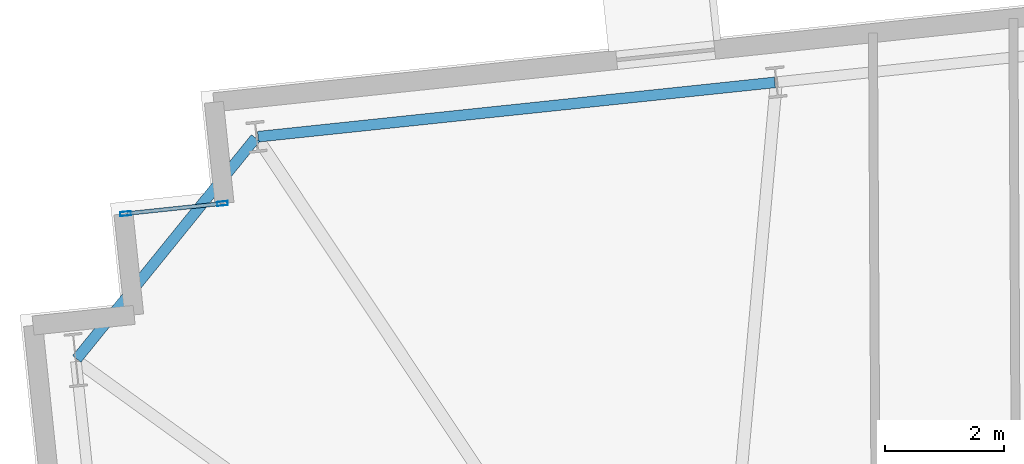
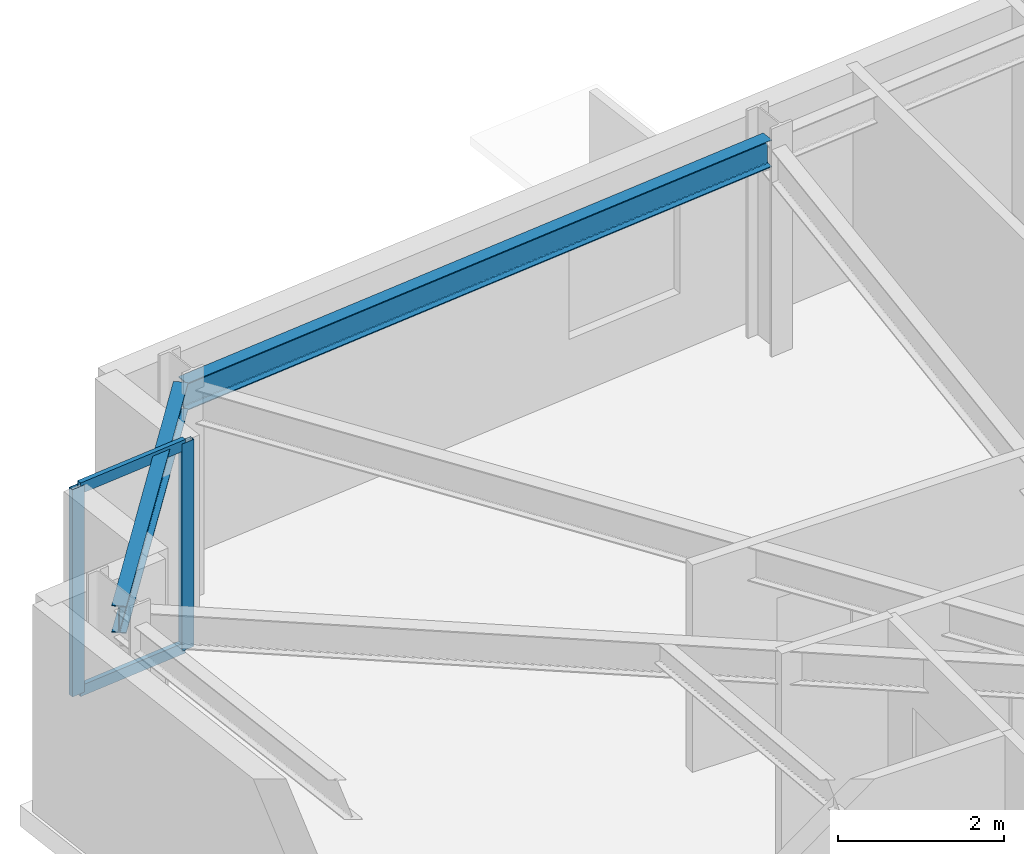
# One storey, part 8 of 19: 4 members, 2 beams, 1 element without a shape of its own.
"""IFC4 building model written with IfcOpenShell, lengths in metres."""

import ifcopenshell
import ifcopenshell.guid

model = None  # the IFC model being written
_history = None  # IfcOwnerHistory: only IFC2X3 demands one
_inside = {}  # id of a spatial element -> (the spatial element, [elements in it])
_under = {}  # id of a project, library or spatial element -> (it, [spatial elements below it])
_declared = {}  # id of a project -> (the project, [libraries it declares])
_typed = {}  # id of a type object -> (the type object, [elements of that type])
_made_of = {}  # id of a material, layer set ... -> (it, [elements and type objects made of it])


def new_model(schema):
    """Start an empty IFC model of exactly this schema.

    Asked for "IFC4X3", IfcOpenShell would pick the latest addendum, in which some entities
    have other attributes; the version numbers below select the first issue.
    IFC2X3 requires an IfcOwnerHistory on every rooted entity: one is made here for all.
    """
    global model, _history
    if schema == "IFC4X3":
        model = ifcopenshell.file(schema_version=(4, 3, 0, 0))
    else:
        model = ifcopenshell.file(schema=schema)
    _inside.clear()
    _under.clear()
    _declared.clear()
    _typed.clear()
    _made_of.clear()
    _history = None
    if model.schema == "IFC2X3":
        org = make("IfcOrganization", Name="unknown")
        user = make(
            "IfcPersonAndOrganization",
            ThePerson=make("IfcPerson", FamilyName="unknown"),
            TheOrganization=org,
        )
        app = make(
            "IfcApplication",
            ApplicationDeveloper=org,
            Version="unknown",
            ApplicationFullName="unknown",
            ApplicationIdentifier="unknown",
        )
        _history = make(
            "IfcOwnerHistory",
            OwningUser=user,
            OwningApplication=app,
            ChangeAction="ADDED",
            CreationDate=0,
        )
    return model


def make(cls, **values):
    """One entity of the class cls with the attributes given. An attribute that is None is left unset."""
    return model.create_entity(
        cls, **{name: value for name, value in values.items() if value is not None}
    )


def rooted(cls, **values):
    """An entity with a GlobalId (a new one), such as an element, a storey or a relation."""
    return make(cls, GlobalId=ifcopenshell.guid.new(), OwnerHistory=_history, **values)


def si_unit(unit_type, name, prefix=None):
    """IfcSIUnit, for example si_unit("LENGTHUNIT", "METRE", prefix="MILLI")."""
    return make("IfcSIUnit", UnitType=unit_type, Prefix=prefix, Name=name)


def assignment(units):
    """IfcUnitAssignment: the units of a project."""
    return None if units is None else make("IfcUnitAssignment", Units=units)


def point(xyz):
    """IfcCartesianPoint."""
    return None if xyz is None else make("IfcCartesianPoint", Coordinates=xyz)


def direction(xyz):
    """IfcDirection."""
    return None if xyz is None else make("IfcDirection", DirectionRatios=xyz)


def frame(location, z_axis=None, x_axis=None):
    """IfcAxis2Placement3D, a coordinate frame: its origin and axes. An axis left out is left unset."""
    return make(
        "IfcAxis2Placement3D",
        Location=point(location),
        Axis=direction(z_axis),
        RefDirection=direction(x_axis),
    )


def frame_2d(location, x_axis=None):
    """IfcAxis2Placement2D, a coordinate frame in the plane: its origin and x axis."""
    return make(
        "IfcAxis2Placement2D", Location=point(location), RefDirection=direction(x_axis)
    )


def origin():
    """The frame at (0, 0, 0) with its axes left unset."""
    return frame((0.0, 0.0, 0.0))


def origin_2d():
    """The frame at (0, 0) in the plane with its x axis left unset."""
    return frame_2d((0.0, 0.0))


def place(relative_to, where):
    """IfcLocalPlacement: puts the frame where relative to a parent placement (None: the world)."""
    return make(
        "IfcLocalPlacement", PlacementRelTo=relative_to, RelativePlacement=where
    )


def context(
    kind, dimensions, precision=None, world=None, true_north=None, identifier=None
):
    """IfcGeometricRepresentationContext, for example the 3D "Model" context."""
    return make(
        "IfcGeometricRepresentationContext",
        ContextIdentifier=identifier,
        ContextType=kind,
        CoordinateSpaceDimension=dimensions,
        Precision=precision,
        WorldCoordinateSystem=world,
        TrueNorth=true_north,
    )


def subcontext(parent, identifier, kind, view, scale=None):
    """IfcGeometricRepresentationSubContext, for example "Body" below "Model"."""
    return make(
        "IfcGeometricRepresentationSubContext",
        ContextIdentifier=identifier,
        ContextType=kind,
        ParentContext=parent,
        TargetScale=scale,
        TargetView=view,
    )


def project(units=None, contexts=None):
    """IfcProject with its units and contexts."""
    return rooted(
        "IfcProject",
        Name="project",
        RepresentationContexts=contexts,
        UnitsInContext=assignment(units),
    )


def spatial(cls, under=None, at=None, **own):
    """A site, building, storey or space (cls), placed at a placement, below another one or the project."""
    s = rooted(cls, ObjectPlacement=at, **own)
    if under is not None:
        _under.setdefault(under.id(), (under, []))[1].append(s)
    return s


def profile(cls, at=None, kind="AREA", **sizes):
    """A parametric profile (cls). Its sizes go by their IFC names, for example OverallWidth=200.0."""
    return make(cls, ProfileType=kind, Position=at, **sizes)


def hollow_rectangle(**sizes):
    """IfcRectangleHollowProfileDef."""
    return profile("IfcRectangleHollowProfileDef", **sizes)


def i_section(**sizes):
    """IfcIShapeProfileDef."""
    return profile("IfcIShapeProfileDef", **sizes)


def extrude(swept, where, along, depth):
    """IfcExtrudedAreaSolid: the profile swept, set in the frame where, extruded along a direction by depth."""
    return make(
        "IfcExtrudedAreaSolid",
        SweptArea=swept,
        Position=where,
        ExtrudedDirection=direction(along),
        Depth=depth,
    )


def shape(context_of_items, identifier, shape_type, items):
    """IfcShapeRepresentation: the items that make up one representation, for example the "Body"."""
    return make(
        "IfcShapeRepresentation",
        ContextOfItems=context_of_items,
        RepresentationIdentifier=identifier,
        RepresentationType=shape_type,
        Items=items,
    )


def material(Name=None, Category=None):
    """IfcMaterial."""
    return make("IfcMaterial", Name=Name, Category=Category)


def layer(
    of_material, thickness, ventilated=None, Name=None, Category=None, Priority=None
):
    """IfcMaterialLayer: one layer of a wall or slab, of a material (None: an air gap)."""
    return make(
        "IfcMaterialLayer",
        Material=of_material,
        LayerThickness=thickness,
        IsVentilated=ventilated,
        Name=Name,
        Category=Category,
        Priority=Priority,
    )


def layer_set(layers, Name=None):
    """IfcMaterialLayerSet."""
    return make("IfcMaterialLayerSet", MaterialLayers=layers, LayerSetName=Name)


def material_profile(
    of_material, cross_section, Name=None, Category=None, Priority=None
):
    """IfcMaterialProfile: a cross section and its material."""
    return make(
        "IfcMaterialProfile",
        Name=Name,
        Material=of_material,
        Profile=cross_section,
        Priority=Priority,
        Category=Category,
    )


def profile_set(profiles, Name=None, composite=None):
    """IfcMaterialProfileSet."""
    return make(
        "IfcMaterialProfileSet",
        Name=Name,
        MaterialProfiles=profiles,
        CompositeProfile=composite,
    )


def made_of(thing, what):
    """Note that an element or type object is made of a material, layer set ...; save() writes the relation."""
    if what is not None:
        _made_of.setdefault(what.id(), (what, []))[1].append(thing)
    return thing


def type_object(cls, material=None, **own):
    """A type object (cls), such as IfcWallType, which elements share."""
    return made_of(rooted(cls, **own), material)


def element(
    cls,
    number,
    at=None,
    inside=None,
    cuts=None,
    type_object=None,
    material=None,
    context=None,
    identifier="Body",
    shape_type=None,
    held_by="IfcProductDefinitionShape",
    body=None,
    shapes=None,
    **own,
):
    """One element of the class cls, such as IfcWall. Its Tag is "e" and its number.

    at: its placement. inside: the storey or other place that contains it. cuts: it is an
    opening in that element (IfcRelVoidsElement). A single representation is given by context,
    identifier, shape_type and body (its items); several are given by shapes. held_by: the class
    of the entity that holds the representations. save() writes the other relations.
    """
    e = rooted(cls, Tag="e%d" % number, ObjectPlacement=at, **own)
    if body is not None:
        shapes = [shape(context, identifier, shape_type, body)]
    if shapes is not None:
        e.Representation = make(held_by, Representations=shapes)
    if inside is not None:
        _inside.setdefault(inside.id(), (inside, []))[1].append(e)
    if cuts is not None:
        rooted(
            "IfcRelVoidsElement", RelatingBuildingElement=cuts, RelatedOpeningElement=e
        )
    if type_object is not None:
        _typed.setdefault(type_object.id(), (type_object, []))[1].append(e)
    return made_of(e, material)


def aggregate(whole, parts):
    """IfcRelAggregates: a whole, such as a stair, and the parts it consists of."""
    return rooted("IfcRelAggregates", RelatingObject=whole, RelatedObjects=parts)


def save(model, path):
    """Write the relations noted so far, then the file.

    IfcRelAggregates (storeys below a building ...), IfcRelContainedInSpatialStructure (elements
    in a storey), IfcRelDefinesByType, IfcRelAssociatesMaterial and IfcRelDeclares: one each for
    every whole, place, type object, material and project.
    """
    for whole, parts in _under.values():
        aggregate(whole, parts)
    for where, things in _inside.values():
        rooted(
            "IfcRelContainedInSpatialStructure",
            RelatedElements=things,
            RelatingStructure=where,
        )
    for kind, things in _typed.values():
        rooted("IfcRelDefinesByType", RelatedObjects=things, RelatingType=kind)
    for what, things in _made_of.values():
        rooted("IfcRelAssociatesMaterial", RelatedObjects=things, RelatingMaterial=what)
    for by, libraries in _declared.values():
        rooted("IfcRelDeclares", RelatingContext=by, RelatedDefinitions=libraries)
    model.write(path)


model = new_model("IFC4")

# Units and contexts
model_context = context("Model", 3, precision=1e-05, world=origin(), true_north=direction((0.0, 1.0)))
body_context = subcontext(model_context, "Body", "Model", "MODEL_VIEW")
ifc_project = project(units=[si_unit("LENGTHUNIT", "METRE"), si_unit("AREAUNIT", "SQUARE_METRE"), si_unit("VOLUMEUNIT", "CUBIC_METRE"), si_unit("PLANEANGLEUNIT", "RADIAN"), si_unit("MASSUNIT", "GRAM", prefix="KILO")], contexts=[model_context])

# Site, building, storey
site_placement = place(None, origin())
site = spatial("IfcSite", under=ifc_project, at=site_placement, CompositionType="ELEMENT")
building_placement = place(site_placement, origin())
building = spatial("IfcBuilding", under=site, at=building_placement, Name="Qobustan Lattice House", CompositionType="ELEMENT")
storey_placement = place(building_placement, frame((0.0, 0.0, 85.699951171875)))
storey = spatial("IfcBuildingStorey", under=building, at=storey_placement, Name="L23", CompositionType="ELEMENT", Elevation=85.699951171875)

# Beams
ifc_material_1 = material(Name="Steel S355", Category="steel")
ifc_material_profile_1 = material_profile(ifc_material_1, i_section(OverallWidth=0.179931640625, OverallDepth=0.39990234375, WebThickness=0.008544921875, FlangeThickness=0.013427734375, FilletRadius=0.02099609375, at=origin_2d()), Name="IPE400")
ifc_profile_set_1 = profile_set([ifc_material_profile_1], Name="Steel S355")
beam_type = type_object("IfcBeamType", Name="BM-SPD-IPE400", PredefinedType="SPANDREL", material=ifc_profile_set_1)
beam_1_placement = place(storey_placement, frame((-17.7158203125, 17.919189453125, 2.844970703125), z_axis=(-0.994521279781, -0.10453432002, 0.0), x_axis=(0.10453432002, -0.994521279781, 0.0)))
element("IfcBeam", 1, at=beam_1_placement, inside=storey, type_object=beam_type, Name="L23 perimeter spandrel N6-N7", PredefinedType="SPANDREL", context=body_context, shape_type="SweptSolid", body=[
    extrude(i_section(OverallWidth=0.179931640625, OverallDepth=0.39990234375, WebThickness=0.008544921875, FlangeThickness=0.013427734375, FilletRadius=0.02099609375, at=origin_2d()), origin(), (0.0, 0.0, 1.0), 8.69970703125),
])
beam_2_placement = place(storey_placement, frame((-26.40869140625, 16.98779296875, 2.844970703125), z_axis=(-0.629326627121, -0.777140911545, 0.0), x_axis=(0.777140911545, -0.629326627121, 0.0)))
element("IfcBeam", 2, at=beam_2_placement, inside=storey, type_object=beam_type, Name="L23 perimeter spandrel N7-W1", PredefinedType="SPANDREL", context=body_context, shape_type="SweptSolid", body=[
    extrude(i_section(OverallWidth=0.179931640625, OverallDepth=0.39990234375, WebThickness=0.008544921875, FlangeThickness=0.013427734375, FilletRadius=0.02099609375, at=origin_2d()), origin(), (0.0, 0.0, 1.0), 4.758544921875),
])

# Curtain wall, members
ifc_material_2 = material(Name="Anodised aluminium and low-E glazing", Category="aluminium")
ifc_layer = layer(ifc_material_2, 0.219970703125)
ifc_layer_set = layer_set([ifc_layer], Name="Anodised aluminium and low-E glazing")
curtain_wall_type = type_object("IfcCurtainWallType", Name="CW-FAC-01", PredefinedType="USERDEFINED", material=ifc_layer_set)
curtain_wall_placement = place(storey_placement, origin())
curtain_wall = element("IfcCurtainWall", 3, at=curtain_wall_placement, inside=storey, type_object=curtain_wall_type, Name="L23 serrated corner faceted glazing 8", ObjectType="CURTAIN WALL", PredefinedType="USERDEFINED")
ifc_material_3 = material(Name="Anodised aluminium EN AW-6063 T6", Category="aluminium")
ifc_material_profile_2 = material_profile(ifc_material_3, hollow_rectangle(XDim=0.070068359375, YDim=0.179931640625, WallThickness=0.00439453125, at=origin_2d()), Name="CWM-180x70")
ifc_profile_set_2 = profile_set([ifc_material_profile_2], Name="Anodised aluminium EN AW-6063 T6")
member_type_1 = type_object("IfcMemberType", Name="CWM-STD-180", PredefinedType="MULLION", material=ifc_profile_set_2)
member_1_placement = place(storey_placement, frame((-28.58544921875, 15.720947265625, 0.0), z_axis=(0.0, 0.0, 1.0), x_axis=(-0.104528620025, 0.994521878892, 0.0)))
member_1 = element("IfcMember", 4, at=member_1_placement, type_object=member_type_1, Name="CW-F1 mullion 1", PredefinedType="MULLION", context=body_context, shape_type="SweptSolid", body=[
    extrude(hollow_rectangle(XDim=0.070068359375, YDim=0.179931640625, WallThickness=0.00439453125, at=origin_2d()), origin(), (0.0, 0.0, 1.0), 3.045166015625),
])
member_2_placement = place(storey_placement, frame((-26.96435546875, 15.891357421875, 0.0), z_axis=(0.0, 0.0, 1.0), x_axis=(-0.104528620025, 0.994521878892, 0.0)))
member_2 = element("IfcMember", 5, at=member_2_placement, type_object=member_type_1, Name="CW-F1 mullion 2", PredefinedType="MULLION", context=body_context, shape_type="SweptSolid", body=[
    extrude(hollow_rectangle(XDim=0.070068359375, YDim=0.179931640625, WallThickness=0.00439453125, at=origin_2d()), origin(), (0.0, 0.0, 1.0), 3.045166015625),
])
ifc_material_4 = material(Name="Anodised aluminium EN AW-6063 T6", Category="aluminium")
ifc_material_profile_3 = material_profile(ifc_material_4, hollow_rectangle(XDim=0.06494140625, YDim=0.159912109375, WallThickness=0.00390625, at=origin_2d()), Name="CWT-160x65")
ifc_profile_set_3 = profile_set([ifc_material_profile_3], Name="Anodised aluminium EN AW-6063 T6")
member_type_2 = type_object("IfcMemberType", Name="CWT-HOR-160", PredefinedType="USERDEFINED", material=ifc_profile_set_3)
member_3_placement = place(storey_placement, frame((-28.55078125, 15.724609375, 0.032470703125), z_axis=(0.994520877159, 0.104538150424, 0.0), x_axis=(-0.104538150424, 0.994520877159, 0.0)))
member_3 = element("IfcMember", 6, at=member_3_placement, type_object=member_type_2, Name="CW-F1 transom 1.1", ObjectType="TRANSOM", PredefinedType="USERDEFINED", context=body_context, shape_type="SweptSolid", body=[
    extrude(hollow_rectangle(XDim=0.06494140625, YDim=0.159912109375, WallThickness=0.00390625, at=origin_2d()), origin(), (0.0, 0.0, 1.0), 1.56005859375),
])
member_4_placement = place(storey_placement, frame((-28.55078125, 15.724609375, 3.012451171875), z_axis=(0.994520877159, 0.104538150424, 0.0), x_axis=(-0.104538150424, 0.994520877159, 0.0)))
member_4 = element("IfcMember", 7, at=member_4_placement, type_object=member_type_2, Name="CW-F1 transom 1.2", ObjectType="TRANSOM", PredefinedType="USERDEFINED", context=body_context, shape_type="SweptSolid", body=[
    extrude(hollow_rectangle(XDim=0.06494140625, YDim=0.159912109375, WallThickness=0.00390625, at=origin_2d()), origin(), (0.0, 0.0, 1.0), 1.56005859375),
])
aggregate(curtain_wall, [member_1, member_2, member_3, member_4])

save(model, "model.ifc")
